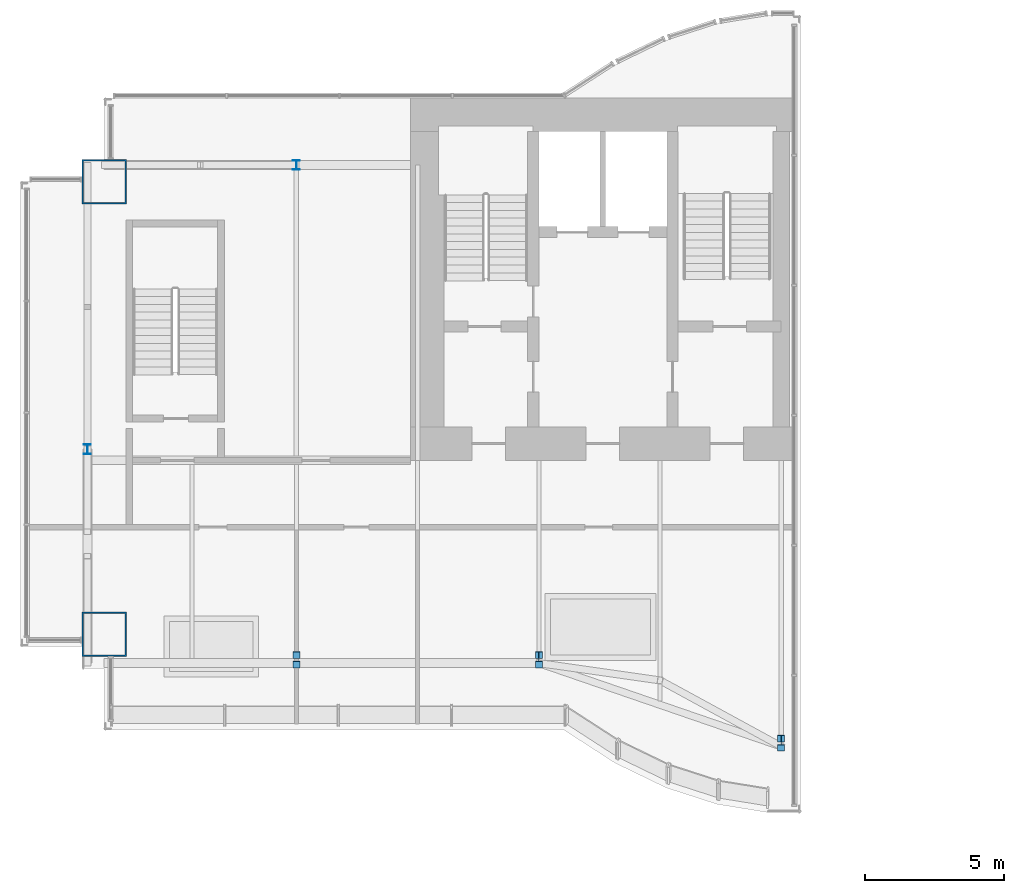
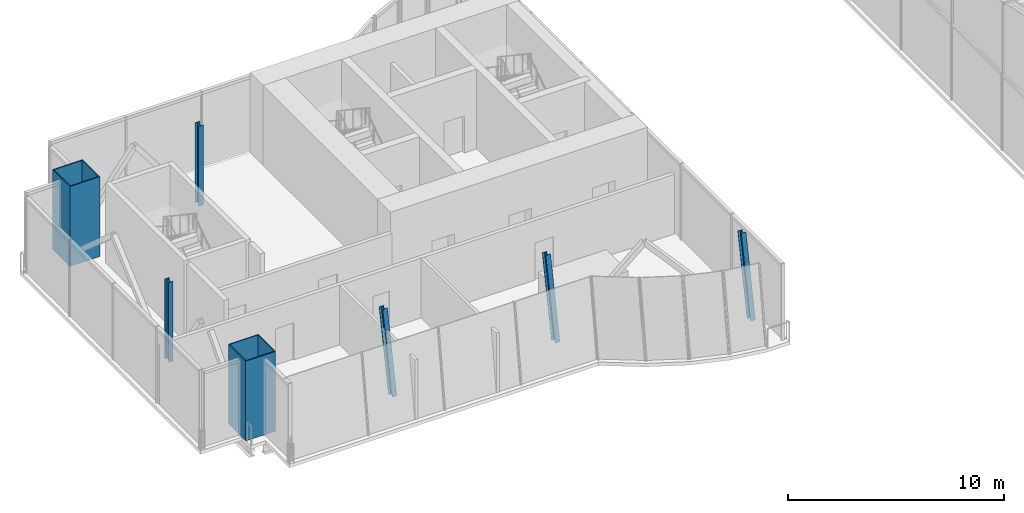
# One storey, part 1 of 17: 7 columns.
"""IFC4 building model written with IfcOpenShell, lengths in metres."""

import ifcopenshell
import ifcopenshell.guid

model = None  # the IFC model being written
_history = None  # IfcOwnerHistory: only IFC2X3 demands one
_inside = {}  # id of a spatial element -> (the spatial element, [elements in it])
_under = {}  # id of a project, library or spatial element -> (it, [spatial elements below it])
_declared = {}  # id of a project -> (the project, [libraries it declares])
_typed = {}  # id of a type object -> (the type object, [elements of that type])
_made_of = {}  # id of a material, layer set ... -> (it, [elements and type objects made of it])


def new_model(schema):
    """Start an empty IFC model of exactly this schema.

    Asked for "IFC4X3", IfcOpenShell would pick the latest addendum, in which some entities
    have other attributes; the version numbers below select the first issue.
    IFC2X3 requires an IfcOwnerHistory on every rooted entity: one is made here for all.
    """
    global model, _history
    if schema == "IFC4X3":
        model = ifcopenshell.file(schema_version=(4, 3, 0, 0))
    else:
        model = ifcopenshell.file(schema=schema)
    _inside.clear()
    _under.clear()
    _declared.clear()
    _typed.clear()
    _made_of.clear()
    _history = None
    if model.schema == "IFC2X3":
        org = make("IfcOrganization", Name="unknown")
        user = make(
            "IfcPersonAndOrganization",
            ThePerson=make("IfcPerson", FamilyName="unknown"),
            TheOrganization=org,
        )
        app = make(
            "IfcApplication",
            ApplicationDeveloper=org,
            Version="unknown",
            ApplicationFullName="unknown",
            ApplicationIdentifier="unknown",
        )
        _history = make(
            "IfcOwnerHistory",
            OwningUser=user,
            OwningApplication=app,
            ChangeAction="ADDED",
            CreationDate=0,
        )
    return model


def make(cls, **values):
    """One entity of the class cls with the attributes given. An attribute that is None is left unset."""
    return model.create_entity(
        cls, **{name: value for name, value in values.items() if value is not None}
    )


def rooted(cls, **values):
    """An entity with a GlobalId (a new one), such as an element, a storey or a relation."""
    return make(cls, GlobalId=ifcopenshell.guid.new(), OwnerHistory=_history, **values)


def si_unit(unit_type, name, prefix=None):
    """IfcSIUnit, for example si_unit("LENGTHUNIT", "METRE", prefix="MILLI")."""
    return make("IfcSIUnit", UnitType=unit_type, Prefix=prefix, Name=name)


def assignment(units):
    """IfcUnitAssignment: the units of a project."""
    return None if units is None else make("IfcUnitAssignment", Units=units)


def point(xyz):
    """IfcCartesianPoint."""
    return None if xyz is None else make("IfcCartesianPoint", Coordinates=xyz)


def direction(xyz):
    """IfcDirection."""
    return None if xyz is None else make("IfcDirection", DirectionRatios=xyz)


def frame(location, z_axis=None, x_axis=None):
    """IfcAxis2Placement3D, a coordinate frame: its origin and axes. An axis left out is left unset."""
    return make(
        "IfcAxis2Placement3D",
        Location=point(location),
        Axis=direction(z_axis),
        RefDirection=direction(x_axis),
    )


def frame_2d(location, x_axis=None):
    """IfcAxis2Placement2D, a coordinate frame in the plane: its origin and x axis."""
    return make(
        "IfcAxis2Placement2D", Location=point(location), RefDirection=direction(x_axis)
    )


def origin():
    """The frame at (0, 0, 0) with its axes left unset."""
    return frame((0.0, 0.0, 0.0))


def origin_2d():
    """The frame at (0, 0) in the plane with its x axis left unset."""
    return frame_2d((0.0, 0.0))


def place(relative_to, where):
    """IfcLocalPlacement: puts the frame where relative to a parent placement (None: the world)."""
    return make(
        "IfcLocalPlacement", PlacementRelTo=relative_to, RelativePlacement=where
    )


def context(
    kind, dimensions, precision=None, world=None, true_north=None, identifier=None
):
    """IfcGeometricRepresentationContext, for example the 3D "Model" context."""
    return make(
        "IfcGeometricRepresentationContext",
        ContextIdentifier=identifier,
        ContextType=kind,
        CoordinateSpaceDimension=dimensions,
        Precision=precision,
        WorldCoordinateSystem=world,
        TrueNorth=true_north,
    )


def subcontext(parent, identifier, kind, view, scale=None):
    """IfcGeometricRepresentationSubContext, for example "Body" below "Model"."""
    return make(
        "IfcGeometricRepresentationSubContext",
        ContextIdentifier=identifier,
        ContextType=kind,
        ParentContext=parent,
        TargetScale=scale,
        TargetView=view,
    )


def project(units=None, contexts=None):
    """IfcProject with its units and contexts."""
    return rooted(
        "IfcProject",
        Name="project",
        RepresentationContexts=contexts,
        UnitsInContext=assignment(units),
    )


def spatial(cls, under=None, at=None, **own):
    """A site, building, storey or space (cls), placed at a placement, below another one or the project."""
    s = rooted(cls, ObjectPlacement=at, **own)
    if under is not None:
        _under.setdefault(under.id(), (under, []))[1].append(s)
    return s


def profile(cls, at=None, kind="AREA", **sizes):
    """A parametric profile (cls). Its sizes go by their IFC names, for example OverallWidth=200.0."""
    return make(cls, ProfileType=kind, Position=at, **sizes)


def hollow_rectangle(**sizes):
    """IfcRectangleHollowProfileDef."""
    return profile("IfcRectangleHollowProfileDef", **sizes)


def i_section(**sizes):
    """IfcIShapeProfileDef."""
    return profile("IfcIShapeProfileDef", **sizes)


def extrude(swept, where, along, depth):
    """IfcExtrudedAreaSolid: the profile swept, set in the frame where, extruded along a direction by depth."""
    return make(
        "IfcExtrudedAreaSolid",
        SweptArea=swept,
        Position=where,
        ExtrudedDirection=direction(along),
        Depth=depth,
    )


def shape(context_of_items, identifier, shape_type, items):
    """IfcShapeRepresentation: the items that make up one representation, for example the "Body"."""
    return make(
        "IfcShapeRepresentation",
        ContextOfItems=context_of_items,
        RepresentationIdentifier=identifier,
        RepresentationType=shape_type,
        Items=items,
    )


def material(Name=None, Category=None):
    """IfcMaterial."""
    return make("IfcMaterial", Name=Name, Category=Category)


def material_profile(
    of_material, cross_section, Name=None, Category=None, Priority=None
):
    """IfcMaterialProfile: a cross section and its material."""
    return make(
        "IfcMaterialProfile",
        Name=Name,
        Material=of_material,
        Profile=cross_section,
        Priority=Priority,
        Category=Category,
    )


def profile_set(profiles, Name=None, composite=None):
    """IfcMaterialProfileSet."""
    return make(
        "IfcMaterialProfileSet",
        Name=Name,
        MaterialProfiles=profiles,
        CompositeProfile=composite,
    )


def made_of(thing, what):
    """Note that an element or type object is made of a material, layer set ...; save() writes the relation."""
    if what is not None:
        _made_of.setdefault(what.id(), (what, []))[1].append(thing)
    return thing


def type_object(cls, material=None, **own):
    """A type object (cls), such as IfcWallType, which elements share."""
    return made_of(rooted(cls, **own), material)


def element(
    cls,
    number,
    at=None,
    inside=None,
    cuts=None,
    type_object=None,
    material=None,
    context=None,
    identifier="Body",
    shape_type=None,
    held_by="IfcProductDefinitionShape",
    body=None,
    shapes=None,
    **own,
):
    """One element of the class cls, such as IfcWall. Its Tag is "e" and its number.

    at: its placement. inside: the storey or other place that contains it. cuts: it is an
    opening in that element (IfcRelVoidsElement). A single representation is given by context,
    identifier, shape_type and body (its items); several are given by shapes. held_by: the class
    of the entity that holds the representations. save() writes the other relations.
    """
    e = rooted(cls, Tag="e%d" % number, ObjectPlacement=at, **own)
    if body is not None:
        shapes = [shape(context, identifier, shape_type, body)]
    if shapes is not None:
        e.Representation = make(held_by, Representations=shapes)
    if inside is not None:
        _inside.setdefault(inside.id(), (inside, []))[1].append(e)
    if cuts is not None:
        rooted(
            "IfcRelVoidsElement", RelatingBuildingElement=cuts, RelatedOpeningElement=e
        )
    if type_object is not None:
        _typed.setdefault(type_object.id(), (type_object, []))[1].append(e)
    return made_of(e, material)


def aggregate(whole, parts):
    """IfcRelAggregates: a whole, such as a stair, and the parts it consists of."""
    return rooted("IfcRelAggregates", RelatingObject=whole, RelatedObjects=parts)


def save(model, path):
    """Write the relations noted so far, then the file.

    IfcRelAggregates (storeys below a building ...), IfcRelContainedInSpatialStructure (elements
    in a storey), IfcRelDefinesByType, IfcRelAssociatesMaterial and IfcRelDeclares: one each for
    every whole, place, type object, material and project.
    """
    for whole, parts in _under.values():
        aggregate(whole, parts)
    for where, things in _inside.values():
        rooted(
            "IfcRelContainedInSpatialStructure",
            RelatedElements=things,
            RelatingStructure=where,
        )
    for kind, things in _typed.values():
        rooted("IfcRelDefinesByType", RelatedObjects=things, RelatingType=kind)
    for what, things in _made_of.values():
        rooted("IfcRelAssociatesMaterial", RelatedObjects=things, RelatingMaterial=what)
    for by, libraries in _declared.values():
        rooted("IfcRelDeclares", RelatingContext=by, RelatedDefinitions=libraries)
    model.write(path)


model = new_model("IFC4")

# Units and contexts
model_context = context("Model", 3, precision=1e-05, world=origin(), true_north=direction((0.0, 1.0)))
body_context = subcontext(model_context, "Body", "Model", "MODEL_VIEW")
ifc_project = project(units=[si_unit("LENGTHUNIT", "METRE"), si_unit("AREAUNIT", "SQUARE_METRE"), si_unit("VOLUMEUNIT", "CUBIC_METRE"), si_unit("PLANEANGLEUNIT", "RADIAN"), si_unit("MASSUNIT", "GRAM", prefix="KILO")], contexts=[model_context])

# Site, building, storey
site_placement = place(None, origin())
site = spatial("IfcSite", under=ifc_project, at=site_placement, CompositionType="ELEMENT")
building_placement = place(site_placement, origin())
building = spatial("IfcBuilding", under=site, at=building_placement, Name="Bicima Exchange Tower", CompositionType="ELEMENT")
storey_placement = place(building_placement, frame((0.0, 0.0, 356.89990234375)))
storey = spatial("IfcBuildingStorey", under=building, at=storey_placement, Name="L80", CompositionType="ELEMENT", Elevation=356.89990234375)

# Columns
ifc_material_1 = material(Name="Steel ASTM A572 Gr 50", Category="steel")
ifc_material_profile_1 = material_profile(ifc_material_1, hollow_rectangle(XDim=1.60009765625, YDim=1.60009765625, WallThickness=0.050048828125, at=origin_2d()))
ifc_profile_set_1 = profile_set([ifc_material_profile_1], Name="Steel ASTM A572 Gr 50")
column_type_1 = type_object("IfcColumnType", Name="Mega column BOX 1600x1600x50", PredefinedType="COLUMN", material=ifc_profile_set_1)
for number, where, z_axis, x_axis, name in (
    (1, (-33.0, -19.240966796875, 0.0), (0.0, 0.0, 1.0), (1.0, 0.0, 0.0), "Mega column mega-33.0f"),
    (2, (-33.0, -3.0, 0.0), (0.0, 0.0, 1.0), (1.0, 0.0, 0.0), "Mega column mega-33.0r"),
):
    element("IfcColumn", number, at=place(storey_placement, frame(where, z_axis=z_axis, x_axis=x_axis)), inside=storey, type_object=column_type_1, Name=name, PredefinedType="COLUMN", context=body_context, shape_type="SweptSolid", body=[
        extrude(hollow_rectangle(XDim=1.60009765625, YDim=1.60009765625, WallThickness=0.050048828125, at=origin_2d()), origin(), (0.0, 0.0, 1.0), 4.5),
    ])
ifc_material_2 = material(Name="Steel ASTM A992 Gr 50", Category="steel")
ifc_material_profile_2 = material_profile(ifc_material_2, i_section(OverallWidth=0.25390625, OverallDepth=0.35302734375, WebThickness=0.009521484375, FlangeThickness=0.016357421875, at=origin_2d()))
ifc_profile_set_2 = profile_set([ifc_material_profile_2], Name="Steel ASTM A992 Gr 50")
column_type_2 = type_object("IfcColumnType", Name="Perimeter column W14x61", PredefinedType="COLUMN", material=ifc_profile_set_2)
column_1_placement = place(storey_placement, frame((-26.10009765625, -20.272705078125, 0.03369140625), z_axis=(0.0, 0.191206783257, 0.981549777666), x_axis=(-1.0, 0.0, 0.0)))
element("IfcColumn", 3, at=column_1_placement, inside=storey, type_object=column_type_2, Name="Perimeter column grav-26.1f", PredefinedType="COLUMN", context=body_context, shape_type="SweptSolid", body=[
    extrude(i_section(OverallWidth=0.25390625, OverallDepth=0.35302734375, WebThickness=0.009521484375, FlangeThickness=0.016357421875, at=origin_2d()), origin(), (0.0, 0.0, 1.0), 4.51611328125),
])
column_2_placement = place(storey_placement, frame((-26.10009765625, -2.39990234375, 0.0), z_axis=(0.0, 0.0, 1.0), x_axis=(1.0, 0.0, 0.0)))
element("IfcColumn", 4, at=column_2_placement, inside=storey, type_object=column_type_2, Name="Perimeter column grav-26.1r", PredefinedType="COLUMN", context=body_context, shape_type="SweptSolid", body=[
    extrude(i_section(OverallWidth=0.25390625, OverallDepth=0.35302734375, WebThickness=0.009521484375, FlangeThickness=0.016357421875, at=origin_2d()), origin(), (0.0, 0.0, 1.0), 4.5),
])
for number, where, z_axis, x_axis, name in (
    (5, (-17.39990234375, -20.272705078125, 0.03369140625), (0.0, 0.191206783257, 0.981549777666), (-1.0, 0.0, 0.0), "Perimeter column grav-17.4f"),
    (6, (-8.699951171875, -23.263671875, 0.03369140625), (0.0, 0.191154699822, 0.981559922132), (-1.0, 0.0, 0.0), "Perimeter column grav-8.7f"),
):
    element("IfcColumn", number, at=place(storey_placement, frame(where, z_axis=z_axis, x_axis=x_axis)), inside=storey, type_object=column_type_2, Name=name, PredefinedType="COLUMN", context=body_context, shape_type="SweptSolid", body=[
        extrude(i_section(OverallWidth=0.25390625, OverallDepth=0.35302734375, WebThickness=0.009521484375, FlangeThickness=0.016357421875, at=origin_2d()), origin(), (0.0, 0.0, 1.0), 4.51611328125),
    ])
column_3_placement = place(storey_placement, frame((-33.60009765625, -12.60009765625, 0.0), z_axis=(0.0, 0.0, 1.0), x_axis=(1.0, 0.0, 0.0)))
element("IfcColumn", 7, at=column_3_placement, inside=storey, type_object=column_type_2, Name="End column end-33.6e", PredefinedType="COLUMN", context=body_context, shape_type="SweptSolid", body=[
    extrude(i_section(OverallWidth=0.25390625, OverallDepth=0.35302734375, WebThickness=0.009521484375, FlangeThickness=0.016357421875, at=origin_2d()), origin(), (0.0, 0.0, 1.0), 4.5),
])

save(model, "model.ifc")
